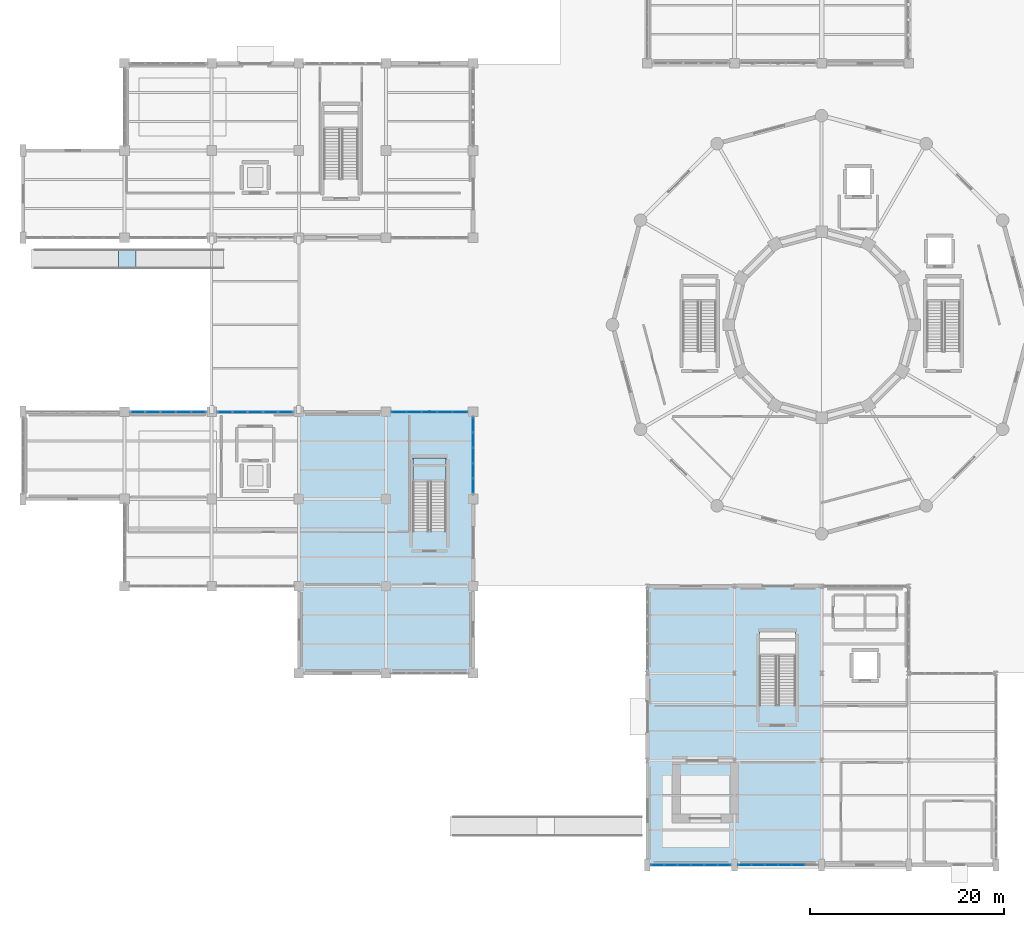
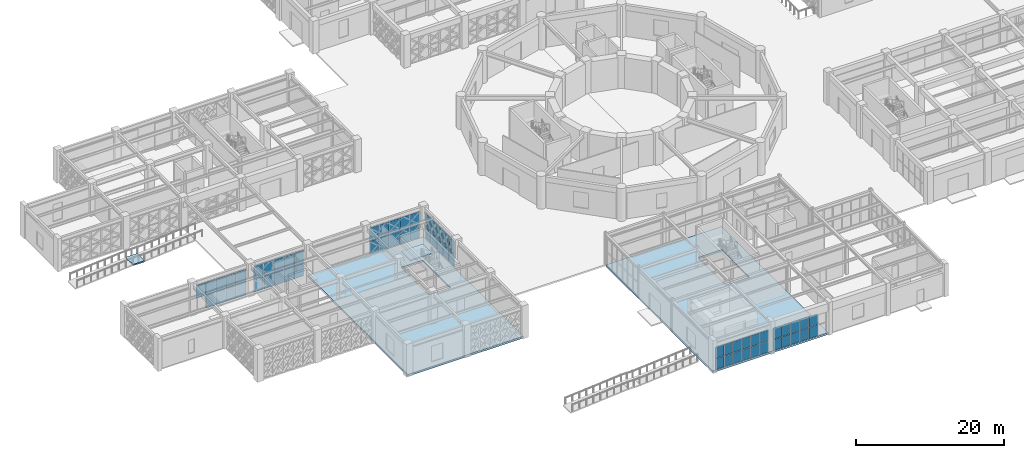
# One storey, part 102 of 140: 61 plates, 4 slabs, 8 elements without a shape of their own.
"""IFC4 building model written with IfcOpenShell, lengths in metres."""

from ifc_helpers import new_model, si_unit, direction, frame, origin, origin_2d, place, context, subcontext, project, spatial, polyline, rectangle, outline, extrude, material, layer, layer_set, type_object, element, aggregate, save


model = new_model("IFC4")

# Units and contexts
model_context = context("Model", 3, precision=1e-05, world=origin(), true_north=direction((0.0, 1.0)))
body_context = subcontext(model_context, "Body", "Model", "MODEL_VIEW")
ifc_project = project(units=[si_unit("LENGTHUNIT", "METRE"), si_unit("AREAUNIT", "SQUARE_METRE"), si_unit("VOLUMEUNIT", "CUBIC_METRE"), si_unit("PLANEANGLEUNIT", "RADIAN"), si_unit("MASSUNIT", "GRAM", prefix="KILO")], contexts=[model_context])

# Site, building, storey
site_placement = place(None, origin())
site = spatial("IfcSite", under=ifc_project, at=site_placement, CompositionType="ELEMENT")
building_placement = place(site_placement, origin())
building = spatial("IfcBuilding", under=site, at=building_placement, Name="Haizhuo Lancet Aquarium", CompositionType="ELEMENT")
storey_placement = place(building_placement, origin())
storey = spatial("IfcBuildingStorey", under=building, at=storey_placement, Name="L00", CompositionType="ELEMENT", Elevation=0.0)

# Curtain wall, plates
ifc_material_1 = material(Name="Aluminium 6063-T6", Category="aluminium")
curtain_wall_type_1 = type_object("IfcCurtainWallType", Name="CWO-8310x3770", PredefinedType="NOTDEFINED", material=ifc_material_1)
curtain_wall_1_placement = place(storey_placement, origin())
curtain_wall_1 = element("IfcCurtainWall", 1, at=curtain_wall_1_placement, inside=storey, type_object=curtain_wall_type_1, Name="L00 curtain wall CW-V4-L00-089", PredefinedType="NOTDEFINED")
ifc_material_2 = material(Name="Laminated Low-E Glass", Category="glass")
ifc_layer_1 = layer(ifc_material_2, 0.028076171875)
ifc_layer_set_1 = layer_set([ifc_layer_1], Name="Laminated Low-E Glass")
plate_type_1 = type_object("IfcPlateType", Name="CW-PNL-1", PredefinedType="CURTAIN_PANEL", material=ifc_layer_set_1)
plate_1_placement = place(storey_placement, frame((-10.055908203125, -55.800048828125, 0.074951171875), z_axis=(0.0, 0.0, 1.0), x_axis=(-1.0, 0.0, 0.0)))
plate_1 = element("IfcPlate", 2, at=plate_1_placement, type_object=plate_type_1, Name="CWO-83x37 panel 1.1", PredefinedType="CURTAIN_PANEL", context=body_context, shape_type="SweptSolid", body=[
    extrude(rectangle(XDim=1.27197265625, YDim=0.028076171875, at=origin_2d()), origin(), (0.0, 0.0, 1.0), 1.77197265625),
])
plate_2_placement = place(storey_placement, frame((-10.055908203125, -55.800048828125, 1.923095703125), z_axis=(0.0, 0.0, 1.0), x_axis=(-1.0, 0.0, 0.0)))
plate_2 = element("IfcPlate", 3, at=plate_2_placement, type_object=plate_type_1, Name="CWO-83x37 panel 1.2", PredefinedType="CURTAIN_PANEL", context=body_context, shape_type="SweptSolid", body=[
    extrude(rectangle(XDim=1.27197265625, YDim=0.028076171875, at=origin_2d()), origin(), (0.0, 0.0, 1.0), 1.77197265625),
])
plate_3_placement = place(storey_placement, frame((-11.423095703125, -55.800048828125, 0.074951171875), z_axis=(0.0, 0.0, 1.0), x_axis=(-1.0, 0.0, 0.0)))
plate_3 = element("IfcPlate", 4, at=plate_3_placement, type_object=plate_type_1, Name="CWO-83x37 panel 2.1", PredefinedType="CURTAIN_PANEL", context=body_context, shape_type="SweptSolid", body=[
    extrude(rectangle(XDim=1.31005859375, YDim=0.028076171875, at=origin_2d()), origin(), (0.0, 0.0, 1.0), 1.77197265625),
])
plate_4_placement = place(storey_placement, frame((-11.423095703125, -55.800048828125, 1.923095703125), z_axis=(0.0, 0.0, 1.0), x_axis=(-1.0, 0.0, 0.0)))
plate_4 = element("IfcPlate", 5, at=plate_4_placement, type_object=plate_type_1, Name="CWO-83x37 panel 2.2", PredefinedType="CURTAIN_PANEL", context=body_context, shape_type="SweptSolid", body=[
    extrude(rectangle(XDim=1.31005859375, YDim=0.028076171875, at=origin_2d()), origin(), (0.0, 0.0, 1.0), 1.77197265625),
])
plate_5_placement = place(storey_placement, frame((-12.80810546875, -55.800048828125, 0.074951171875), z_axis=(0.0, 0.0, 1.0), x_axis=(-1.0, 0.0, 0.0)))
plate_5 = element("IfcPlate", 6, at=plate_5_placement, type_object=plate_type_1, Name="CWO-83x37 panel 3.1", PredefinedType="CURTAIN_PANEL", context=body_context, shape_type="SweptSolid", body=[
    extrude(rectangle(XDim=1.31005859375, YDim=0.028076171875, at=origin_2d()), origin(), (0.0, 0.0, 1.0), 1.77197265625),
])
plate_6_placement = place(storey_placement, frame((-12.80810546875, -55.800048828125, 1.923095703125), z_axis=(0.0, 0.0, 1.0), x_axis=(-1.0, 0.0, 0.0)))
plate_6 = element("IfcPlate", 7, at=plate_6_placement, type_object=plate_type_1, Name="CWO-83x37 panel 3.2", PredefinedType="CURTAIN_PANEL", context=body_context, shape_type="SweptSolid", body=[
    extrude(rectangle(XDim=1.31005859375, YDim=0.028076171875, at=origin_2d()), origin(), (0.0, 0.0, 1.0), 1.77197265625),
])
plate_7_placement = place(storey_placement, frame((-14.193115234375, -55.800048828125, 0.074951171875), z_axis=(0.0, 0.0, 1.0), x_axis=(-1.0, 0.0, 0.0)))
plate_7 = element("IfcPlate", 8, at=plate_7_placement, type_object=plate_type_1, Name="CWO-83x37 panel 4.1", PredefinedType="CURTAIN_PANEL", context=body_context, shape_type="SweptSolid", body=[
    extrude(rectangle(XDim=1.31005859375, YDim=0.028076171875, at=origin_2d()), origin(), (0.0, 0.0, 1.0), 1.77197265625),
])
plate_8_placement = place(storey_placement, frame((-14.193115234375, -55.800048828125, 1.923095703125), z_axis=(0.0, 0.0, 1.0), x_axis=(-1.0, 0.0, 0.0)))
plate_8 = element("IfcPlate", 9, at=plate_8_placement, type_object=plate_type_1, Name="CWO-83x37 panel 4.2", PredefinedType="CURTAIN_PANEL", context=body_context, shape_type="SweptSolid", body=[
    extrude(rectangle(XDim=1.31005859375, YDim=0.028076171875, at=origin_2d()), origin(), (0.0, 0.0, 1.0), 1.77197265625),
])
plate_9_placement = place(storey_placement, frame((-15.577880859375, -55.800048828125, 0.074951171875), z_axis=(0.0, 0.0, 1.0), x_axis=(-1.0, 0.0, 0.0)))
plate_9 = element("IfcPlate", 10, at=plate_9_placement, type_object=plate_type_1, Name="CWO-83x37 panel 5.1", PredefinedType="CURTAIN_PANEL", context=body_context, shape_type="SweptSolid", body=[
    extrude(rectangle(XDim=1.31005859375, YDim=0.028076171875, at=origin_2d()), origin(), (0.0, 0.0, 1.0), 1.77197265625),
])
plate_10_placement = place(storey_placement, frame((-15.577880859375, -55.800048828125, 1.923095703125), z_axis=(0.0, 0.0, 1.0), x_axis=(-1.0, 0.0, 0.0)))
plate_10 = element("IfcPlate", 11, at=plate_10_placement, type_object=plate_type_1, Name="CWO-83x37 panel 5.2", PredefinedType="CURTAIN_PANEL", context=body_context, shape_type="SweptSolid", body=[
    extrude(rectangle(XDim=1.31005859375, YDim=0.028076171875, at=origin_2d()), origin(), (0.0, 0.0, 1.0), 1.77197265625),
])
plate_11_placement = place(storey_placement, frame((-16.944091796875, -55.800048828125, 0.074951171875), z_axis=(0.0, 0.0, 1.0), x_axis=(-1.0, 0.0, 0.0)))
plate_11 = element("IfcPlate", 12, at=plate_11_placement, type_object=plate_type_1, Name="CWO-83x37 panel 6.1", PredefinedType="CURTAIN_PANEL", context=body_context, shape_type="SweptSolid", body=[
    extrude(rectangle(XDim=1.27294921875, YDim=0.028076171875, at=origin_2d()), origin(), (0.0, 0.0, 1.0), 1.77197265625),
])
plate_12_placement = place(storey_placement, frame((-16.944091796875, -55.800048828125, 1.923095703125), z_axis=(0.0, 0.0, 1.0), x_axis=(-1.0, 0.0, 0.0)))
plate_12 = element("IfcPlate", 13, at=plate_12_placement, type_object=plate_type_1, Name="CWO-83x37 panel 6.2", PredefinedType="CURTAIN_PANEL", context=body_context, shape_type="SweptSolid", body=[
    extrude(rectangle(XDim=1.27294921875, YDim=0.028076171875, at=origin_2d()), origin(), (0.0, 0.0, 1.0), 1.77197265625),
])
aggregate(curtain_wall_1, [plate_1, plate_2, plate_3, plate_4, plate_5, plate_6, plate_7, plate_8, plate_9, plate_10, plate_11, plate_12])

curtain_wall_type_2 = type_object("IfcCurtainWallType", Name="CWD-7910x4420", PredefinedType="NOTDEFINED", material=ifc_material_1)
curtain_wall_2_placement = place(storey_placement, origin())
curtain_wall_2 = element("IfcCurtainWall", 14, at=curtain_wall_2_placement, inside=storey, type_object=curtain_wall_type_2, Name="L00 curtain wall CW-V6-L00-197", PredefinedType="NOTDEFINED")
plate_13_placement = place(storey_placement, frame((-36.0, -10.35498046875, 0.07568359375), z_axis=(0.0, 0.0, 1.0), x_axis=(0.0, -1.0, 0.0)))
plate_13 = element("IfcPlate", 15, at=plate_13_placement, type_object=plate_type_1, Name="CWD-79x44 panel 1.1", PredefinedType="CURTAIN_PANEL", context=body_context, shape_type="SweptSolid", body=[
    extrude(rectangle(XDim=1.468994140625, YDim=0.028076171875, at=origin_2d()), origin(), (0.0, 0.0, 1.0), 2.096923828125),
])
plate_14_placement = place(storey_placement, frame((-36.0, -10.35498046875, 2.2470703125), z_axis=(0.0, 0.0, 1.0), x_axis=(0.0, -1.0, 0.0)))
plate_14 = element("IfcPlate", 16, at=plate_14_placement, type_object=plate_type_1, Name="CWD-79x44 panel 1.2", PredefinedType="CURTAIN_PANEL", context=body_context, shape_type="SweptSolid", body=[
    extrude(rectangle(XDim=1.468994140625, YDim=0.028076171875, at=origin_2d()), origin(), (0.0, 0.0, 1.0), 2.097900390625),
])
plate_15_placement = place(storey_placement, frame((-36.0, -11.91796875, 0.07568359375), z_axis=(0.0, 0.0, 1.0), x_axis=(0.0, -1.0, 0.0)))
plate_15 = element("IfcPlate", 17, at=plate_15_placement, type_object=plate_type_1, Name="CWD-79x44 panel 2.1", PredefinedType="CURTAIN_PANEL", context=body_context, shape_type="SweptSolid", body=[
    extrude(rectangle(XDim=1.507080078125, YDim=0.028076171875, at=origin_2d()), origin(), (0.0, 0.0, 1.0), 2.096923828125),
])
plate_16_placement = place(storey_placement, frame((-36.0, -11.91796875, 2.2470703125), z_axis=(0.0, 0.0, 1.0), x_axis=(0.0, -1.0, 0.0)))
plate_16 = element("IfcPlate", 18, at=plate_16_placement, type_object=plate_type_1, Name="CWD-79x44 panel 2.2", PredefinedType="CURTAIN_PANEL", context=body_context, shape_type="SweptSolid", body=[
    extrude(rectangle(XDim=1.507080078125, YDim=0.028076171875, at=origin_2d()), origin(), (0.0, 0.0, 1.0), 2.097900390625),
])
plate_17_placement = place(storey_placement, frame((-36.0, -13.5, 0.07568359375), z_axis=(0.0, 0.0, 1.0), x_axis=(0.0, -1.0, 0.0)))
plate_17 = element("IfcPlate", 19, at=plate_17_placement, type_object=plate_type_1, Name="CWD-79x44 panel 3.1", PredefinedType="CURTAIN_PANEL", context=body_context, shape_type="SweptSolid", body=[
    extrude(rectangle(XDim=1.507080078125, YDim=0.028076171875, at=origin_2d()), origin(), (0.0, 0.0, 1.0), 2.096923828125),
])
plate_18_placement = place(storey_placement, frame((-36.0, -13.5, 2.2470703125), z_axis=(0.0, 0.0, 1.0), x_axis=(0.0, -1.0, 0.0)))
plate_18 = element("IfcPlate", 20, at=plate_18_placement, type_object=plate_type_1, Name="CWD-79x44 panel 3.2", PredefinedType="CURTAIN_PANEL", context=body_context, shape_type="SweptSolid", body=[
    extrude(rectangle(XDim=1.507080078125, YDim=0.028076171875, at=origin_2d()), origin(), (0.0, 0.0, 1.0), 2.097900390625),
])
plate_19_placement = place(storey_placement, frame((-36.0, -15.08203125, 0.07568359375), z_axis=(0.0, 0.0, 1.0), x_axis=(0.0, -1.0, 0.0)))
plate_19 = element("IfcPlate", 21, at=plate_19_placement, type_object=plate_type_1, Name="CWD-79x44 panel 4.1", PredefinedType="CURTAIN_PANEL", context=body_context, shape_type="SweptSolid", body=[
    extrude(rectangle(XDim=1.507080078125, YDim=0.028076171875, at=origin_2d()), origin(), (0.0, 0.0, 1.0), 2.096923828125),
])
plate_20_placement = place(storey_placement, frame((-36.0, -15.08203125, 2.2470703125), z_axis=(0.0, 0.0, 1.0), x_axis=(0.0, -1.0, 0.0)))
plate_20 = element("IfcPlate", 22, at=plate_20_placement, type_object=plate_type_1, Name="CWD-79x44 panel 4.2", PredefinedType="CURTAIN_PANEL", context=body_context, shape_type="SweptSolid", body=[
    extrude(rectangle(XDim=1.507080078125, YDim=0.028076171875, at=origin_2d()), origin(), (0.0, 0.0, 1.0), 2.097900390625),
])
plate_21_placement = place(storey_placement, frame((-36.0, -16.64501953125, 0.07568359375), z_axis=(0.0, 0.0, 1.0), x_axis=(0.0, -1.0, 0.0)))
plate_21 = element("IfcPlate", 23, at=plate_21_placement, type_object=plate_type_1, Name="CWD-79x44 panel 5.1", PredefinedType="CURTAIN_PANEL", context=body_context, shape_type="SweptSolid", body=[
    extrude(rectangle(XDim=1.469970703125, YDim=0.028076171875, at=origin_2d()), origin(), (0.0, 0.0, 1.0), 2.096923828125),
])
plate_22_placement = place(storey_placement, frame((-36.0, -16.64501953125, 2.2470703125), z_axis=(0.0, 0.0, 1.0), x_axis=(0.0, -1.0, 0.0)))
plate_22 = element("IfcPlate", 24, at=plate_22_placement, type_object=plate_type_1, Name="CWD-79x44 panel 5.2", PredefinedType="CURTAIN_PANEL", context=body_context, shape_type="SweptSolid", body=[
    extrude(rectangle(XDim=1.469970703125, YDim=0.028076171875, at=origin_2d()), origin(), (0.0, 0.0, 1.0), 2.097900390625),
])
aggregate(curtain_wall_2, [plate_13, plate_14, plate_15, plate_16, plate_17, plate_18, plate_19, plate_20, plate_21, plate_22])

curtain_wall_type_3 = type_object("IfcCurtainWallType", Name="CWO-7910x4420", PredefinedType="NOTDEFINED", material=ifc_material_1)
curtain_wall_3_placement = place(storey_placement, origin())
curtain_wall_3 = element("IfcCurtainWall", 25, at=curtain_wall_3_placement, inside=storey, type_object=curtain_wall_type_3, Name="L00 curtain wall CW-V6-L00-194", PredefinedType="NOTDEFINED")
ifc_layer_2 = layer(ifc_material_2, 0.033935546875)
ifc_layer_set_2 = layer_set([ifc_layer_2], Name="Laminated Low-E Glass")
plate_type_2 = type_object("IfcPlateType", Name="CW-PNL-2", PredefinedType="CURTAIN_PANEL", material=ifc_layer_set_2)
plate_23_placement = place(storey_placement, frame((-70.64501953125, -9.0, 2.2470703125), z_axis=(0.0, 0.0, 1.0), x_axis=(1.0, 0.0, 0.0)))
plate_23 = element("IfcPlate", 26, at=plate_23_placement, type_object=plate_type_2, Name="CWO-79x44 panel 1.2", PredefinedType="CURTAIN_PANEL", context=body_context, shape_type="SweptSolid", body=[
    extrude(rectangle(XDim=1.468994140625, YDim=0.033935546875, at=origin_2d()), origin(), (0.0, 0.0, 1.0), 2.097900390625),
])
plate_24_placement = place(storey_placement, frame((-69.08203125, -9.0, 0.07568359375), z_axis=(0.0, 0.0, 1.0), x_axis=(1.0, 0.0, 0.0)))
plate_24 = element("IfcPlate", 27, at=plate_24_placement, type_object=plate_type_2, Name="CWO-79x44 panel 2.1", PredefinedType="CURTAIN_PANEL", context=body_context, shape_type="SweptSolid", body=[
    extrude(rectangle(XDim=1.507080078125, YDim=0.033935546875, at=origin_2d()), origin(), (0.0, 0.0, 1.0), 2.096923828125),
])
plate_25_placement = place(storey_placement, frame((-69.08203125, -9.0, 2.2470703125), z_axis=(0.0, 0.0, 1.0), x_axis=(1.0, 0.0, 0.0)))
plate_25 = element("IfcPlate", 28, at=plate_25_placement, type_object=plate_type_2, Name="CWO-79x44 panel 2.2", PredefinedType="CURTAIN_PANEL", context=body_context, shape_type="SweptSolid", body=[
    extrude(rectangle(XDim=1.507080078125, YDim=0.033935546875, at=origin_2d()), origin(), (0.0, 0.0, 1.0), 2.097900390625),
])
plate_26_placement = place(storey_placement, frame((-67.5, -9.0, 0.07568359375), z_axis=(0.0, 0.0, 1.0), x_axis=(1.0, 0.0, 0.0)))
plate_26 = element("IfcPlate", 29, at=plate_26_placement, type_object=plate_type_2, Name="CWO-79x44 panel 3.1", PredefinedType="CURTAIN_PANEL", context=body_context, shape_type="SweptSolid", body=[
    extrude(rectangle(XDim=1.507080078125, YDim=0.033935546875, at=origin_2d()), origin(), (0.0, 0.0, 1.0), 2.096923828125),
])
plate_27_placement = place(storey_placement, frame((-67.5, -9.0, 2.2470703125), z_axis=(0.0, 0.0, 1.0), x_axis=(1.0, 0.0, 0.0)))
plate_27 = element("IfcPlate", 30, at=plate_27_placement, type_object=plate_type_2, Name="CWO-79x44 panel 3.2", PredefinedType="CURTAIN_PANEL", context=body_context, shape_type="SweptSolid", body=[
    extrude(rectangle(XDim=1.507080078125, YDim=0.033935546875, at=origin_2d()), origin(), (0.0, 0.0, 1.0), 2.097900390625),
])
plate_28_placement = place(storey_placement, frame((-65.91796875, -9.0, 0.07568359375), z_axis=(0.0, 0.0, 1.0), x_axis=(1.0, 0.0, 0.0)))
plate_28 = element("IfcPlate", 31, at=plate_28_placement, type_object=plate_type_2, Name="CWO-79x44 panel 4.1", PredefinedType="CURTAIN_PANEL", context=body_context, shape_type="SweptSolid", body=[
    extrude(rectangle(XDim=1.507080078125, YDim=0.033935546875, at=origin_2d()), origin(), (0.0, 0.0, 1.0), 2.096923828125),
])
plate_29_placement = place(storey_placement, frame((-65.91796875, -9.0, 2.2470703125), z_axis=(0.0, 0.0, 1.0), x_axis=(1.0, 0.0, 0.0)))
plate_29 = element("IfcPlate", 32, at=plate_29_placement, type_object=plate_type_2, Name="CWO-79x44 panel 4.2", PredefinedType="CURTAIN_PANEL", context=body_context, shape_type="SweptSolid", body=[
    extrude(rectangle(XDim=1.507080078125, YDim=0.033935546875, at=origin_2d()), origin(), (0.0, 0.0, 1.0), 2.097900390625),
])
plate_30_placement = place(storey_placement, frame((-64.35498046875, -9.0, 0.07568359375), z_axis=(0.0, 0.0, 1.0), x_axis=(1.0, 0.0, 0.0)))
plate_30 = element("IfcPlate", 33, at=plate_30_placement, type_object=plate_type_2, Name="CWO-79x44 panel 5.1", PredefinedType="CURTAIN_PANEL", context=body_context, shape_type="SweptSolid", body=[
    extrude(rectangle(XDim=1.469970703125, YDim=0.033935546875, at=origin_2d()), origin(), (0.0, 0.0, 1.0), 2.096923828125),
])
plate_31_placement = place(storey_placement, frame((-64.35498046875, -9.0, 2.2470703125), z_axis=(0.0, 0.0, 1.0), x_axis=(1.0, 0.0, 0.0)))
plate_31 = element("IfcPlate", 34, at=plate_31_placement, type_object=plate_type_2, Name="CWO-79x44 panel 5.2", PredefinedType="CURTAIN_PANEL", context=body_context, shape_type="SweptSolid", body=[
    extrude(rectangle(XDim=1.469970703125, YDim=0.033935546875, at=origin_2d()), origin(), (0.0, 0.0, 1.0), 2.097900390625),
])
aggregate(curtain_wall_3, [plate_23, plate_24, plate_25, plate_26, plate_27, plate_28, plate_29, plate_30, plate_31])

curtain_wall_4_placement = place(storey_placement, origin())
curtain_wall_4 = element("IfcCurtainWall", 35, at=curtain_wall_4_placement, inside=storey, type_object=curtain_wall_type_3, Name="L00 curtain wall CW-V6-L00-195", PredefinedType="NOTDEFINED")
ifc_layer_3 = layer(ifc_material_2, 0.0419921875)
ifc_layer_set_3 = layer_set([ifc_layer_3], Name="Laminated Low-E Glass")
plate_type_3 = type_object("IfcPlateType", Name="CW-PNL-3", PredefinedType="CURTAIN_PANEL", material=ifc_layer_set_3)
plate_32_placement = place(storey_placement, frame((-61.64404296875, -9.0, 0.080078125), z_axis=(0.0, 0.0, 1.0), x_axis=(1.0, 0.0, 0.0)))
plate_32 = element("IfcPlate", 36, at=plate_32_placement, type_object=plate_type_3, Name="CWO-79x44 panel 1.1", PredefinedType="CURTAIN_PANEL", context=body_context, shape_type="SweptSolid", body=[
    extrude(rectangle(XDim=1.4619140625, YDim=0.0419921875, at=origin_2d()), origin(), (0.0, 0.0, 1.0), 2.090087890625),
])
plate_33_placement = place(storey_placement, frame((-61.64404296875, -9.0, 2.25), z_axis=(0.0, 0.0, 1.0), x_axis=(1.0, 0.0, 0.0)))
plate_33 = element("IfcPlate", 37, at=plate_33_placement, type_object=plate_type_3, Name="CWO-79x44 panel 1.2", PredefinedType="CURTAIN_PANEL", context=body_context, shape_type="SweptSolid", body=[
    extrude(rectangle(XDim=1.4619140625, YDim=0.0419921875, at=origin_2d()), origin(), (0.0, 0.0, 1.0), 2.090087890625),
])
plate_34_placement = place(storey_placement, frame((-60.08203125, -9.0, 0.080078125), z_axis=(0.0, 0.0, 1.0), x_axis=(1.0, 0.0, 0.0)))
plate_34 = element("IfcPlate", 38, at=plate_34_placement, type_object=plate_type_3, Name="CWO-79x44 panel 2.1", PredefinedType="CURTAIN_PANEL", context=body_context, shape_type="SweptSolid", body=[
    extrude(rectangle(XDim=1.501953125, YDim=0.0419921875, at=origin_2d()), origin(), (0.0, 0.0, 1.0), 2.090087890625),
])
plate_35_placement = place(storey_placement, frame((-60.08203125, -9.0, 2.25), z_axis=(0.0, 0.0, 1.0), x_axis=(1.0, 0.0, 0.0)))
plate_35 = element("IfcPlate", 39, at=plate_35_placement, type_object=plate_type_3, Name="CWO-79x44 panel 2.2", PredefinedType="CURTAIN_PANEL", context=body_context, shape_type="SweptSolid", body=[
    extrude(rectangle(XDim=1.501953125, YDim=0.0419921875, at=origin_2d()), origin(), (0.0, 0.0, 1.0), 2.090087890625),
])
plate_36_placement = place(storey_placement, frame((-58.5, -9.0, 0.080078125), z_axis=(0.0, 0.0, 1.0), x_axis=(1.0, 0.0, 0.0)))
plate_36 = element("IfcPlate", 40, at=plate_36_placement, type_object=plate_type_3, Name="CWO-79x44 panel 3.1", PredefinedType="CURTAIN_PANEL", context=body_context, shape_type="SweptSolid", body=[
    extrude(rectangle(XDim=1.501953125, YDim=0.0419921875, at=origin_2d()), origin(), (0.0, 0.0, 1.0), 2.090087890625),
])
plate_37_placement = place(storey_placement, frame((-58.5, -9.0, 2.25), z_axis=(0.0, 0.0, 1.0), x_axis=(1.0, 0.0, 0.0)))
plate_37 = element("IfcPlate", 41, at=plate_37_placement, type_object=plate_type_3, Name="CWO-79x44 panel 3.2", PredefinedType="CURTAIN_PANEL", context=body_context, shape_type="SweptSolid", body=[
    extrude(rectangle(XDim=1.501953125, YDim=0.0419921875, at=origin_2d()), origin(), (0.0, 0.0, 1.0), 2.090087890625),
])
plate_38_placement = place(storey_placement, frame((-56.91796875, -9.0, 0.080078125), z_axis=(0.0, 0.0, 1.0), x_axis=(1.0, 0.0, 0.0)))
plate_38 = element("IfcPlate", 42, at=plate_38_placement, type_object=plate_type_3, Name="CWO-79x44 panel 4.1", PredefinedType="CURTAIN_PANEL", context=body_context, shape_type="SweptSolid", body=[
    extrude(rectangle(XDim=1.501953125, YDim=0.0419921875, at=origin_2d()), origin(), (0.0, 0.0, 1.0), 2.090087890625),
])
plate_39_placement = place(storey_placement, frame((-56.91796875, -9.0, 2.25), z_axis=(0.0, 0.0, 1.0), x_axis=(1.0, 0.0, 0.0)))
plate_39 = element("IfcPlate", 43, at=plate_39_placement, type_object=plate_type_3, Name="CWO-79x44 panel 4.2", PredefinedType="CURTAIN_PANEL", context=body_context, shape_type="SweptSolid", body=[
    extrude(rectangle(XDim=1.501953125, YDim=0.0419921875, at=origin_2d()), origin(), (0.0, 0.0, 1.0), 2.090087890625),
])
plate_40_placement = place(storey_placement, frame((-55.35595703125, -9.0, 0.080078125), z_axis=(0.0, 0.0, 1.0), x_axis=(1.0, 0.0, 0.0)))
plate_40 = element("IfcPlate", 44, at=plate_40_placement, type_object=plate_type_3, Name="CWO-79x44 panel 5.1", PredefinedType="CURTAIN_PANEL", context=body_context, shape_type="SweptSolid", body=[
    extrude(rectangle(XDim=1.4619140625, YDim=0.0419921875, at=origin_2d()), origin(), (0.0, 0.0, 1.0), 2.090087890625),
])
plate_41_placement = place(storey_placement, frame((-55.35595703125, -9.0, 2.25), z_axis=(0.0, 0.0, 1.0), x_axis=(1.0, 0.0, 0.0)))
plate_41 = element("IfcPlate", 45, at=plate_41_placement, type_object=plate_type_3, Name="CWO-79x44 panel 5.2", PredefinedType="CURTAIN_PANEL", context=body_context, shape_type="SweptSolid", body=[
    extrude(rectangle(XDim=1.4619140625, YDim=0.0419921875, at=origin_2d()), origin(), (0.0, 0.0, 1.0), 2.090087890625),
])
aggregate(curtain_wall_4, [plate_32, plate_33, plate_34, plate_35, plate_36, plate_37, plate_38, plate_39, plate_40, plate_41])

curtain_wall_5_placement = place(storey_placement, origin())
curtain_wall_5 = element("IfcCurtainWall", 46, at=curtain_wall_5_placement, inside=storey, type_object=curtain_wall_type_1, Name="L00 curtain wall CW-V4-L00-088", PredefinedType="NOTDEFINED")
ifc_layer_4 = layer(ifc_material_2, 0.052001953125)
ifc_layer_set_4 = layer_set([ifc_layer_4], Name="Laminated Low-E Glass")
plate_type_4 = type_object("IfcPlateType", Name="CW-PNL-4", PredefinedType="CURTAIN_PANEL", material=ifc_layer_set_4)
plate_42_placement = place(storey_placement, frame((-2.422119140625, -55.800048828125, 0.06494140625), z_axis=(0.0, 0.0, 1.0), x_axis=(-1.0, 0.0, 0.0)))
plate_42 = element("IfcPlate", 47, at=plate_42_placement, type_object=plate_type_4, Name="CWO-83x37 panel 2.1", PredefinedType="CURTAIN_PANEL", context=body_context, shape_type="SweptSolid", body=[
    extrude(rectangle(XDim=1.320068359375, YDim=0.052001953125, at=origin_2d()), origin(), (0.0, 0.0, 1.0), 1.7880859375),
])
plate_43_placement = place(storey_placement, frame((-2.422119140625, -55.800048828125, 1.91748046875), z_axis=(0.0, 0.0, 1.0), x_axis=(-1.0, 0.0, 0.0)))
plate_43 = element("IfcPlate", 48, at=plate_43_placement, type_object=plate_type_4, Name="CWO-83x37 panel 2.2", PredefinedType="CURTAIN_PANEL", context=body_context, shape_type="SweptSolid", body=[
    extrude(rectangle(XDim=1.320068359375, YDim=0.052001953125, at=origin_2d()), origin(), (0.0, 0.0, 1.0), 1.787109375),
])
plate_44_placement = place(storey_placement, frame((-3.806884765625, -55.800048828125, 0.06494140625), z_axis=(0.0, 0.0, 1.0), x_axis=(-1.0, 0.0, 0.0)))
plate_44 = element("IfcPlate", 49, at=plate_44_placement, type_object=plate_type_4, Name="CWO-83x37 panel 3.1", PredefinedType="CURTAIN_PANEL", context=body_context, shape_type="SweptSolid", body=[
    extrude(rectangle(XDim=1.320068359375, YDim=0.052001953125, at=origin_2d()), origin(), (0.0, 0.0, 1.0), 1.7880859375),
])
plate_45_placement = place(storey_placement, frame((-3.806884765625, -55.800048828125, 1.91748046875), z_axis=(0.0, 0.0, 1.0), x_axis=(-1.0, 0.0, 0.0)))
plate_45 = element("IfcPlate", 50, at=plate_45_placement, type_object=plate_type_4, Name="CWO-83x37 panel 3.2", PredefinedType="CURTAIN_PANEL", context=body_context, shape_type="SweptSolid", body=[
    extrude(rectangle(XDim=1.320068359375, YDim=0.052001953125, at=origin_2d()), origin(), (0.0, 0.0, 1.0), 1.787109375),
])
plate_46_placement = place(storey_placement, frame((-5.19189453125, -55.800048828125, 0.06494140625), z_axis=(0.0, 0.0, 1.0), x_axis=(-1.0, 0.0, 0.0)))
plate_46 = element("IfcPlate", 51, at=plate_46_placement, type_object=plate_type_4, Name="CWO-83x37 panel 4.1", PredefinedType="CURTAIN_PANEL", context=body_context, shape_type="SweptSolid", body=[
    extrude(rectangle(XDim=1.320068359375, YDim=0.052001953125, at=origin_2d()), origin(), (0.0, 0.0, 1.0), 1.7880859375),
])
plate_47_placement = place(storey_placement, frame((-5.19189453125, -55.800048828125, 1.91748046875), z_axis=(0.0, 0.0, 1.0), x_axis=(-1.0, 0.0, 0.0)))
plate_47 = element("IfcPlate", 52, at=plate_47_placement, type_object=plate_type_4, Name="CWO-83x37 panel 4.2", PredefinedType="CURTAIN_PANEL", context=body_context, shape_type="SweptSolid", body=[
    extrude(rectangle(XDim=1.320068359375, YDim=0.052001953125, at=origin_2d()), origin(), (0.0, 0.0, 1.0), 1.787109375),
])
plate_48_placement = place(storey_placement, frame((-6.576904296875, -55.800048828125, 0.06494140625), z_axis=(0.0, 0.0, 1.0), x_axis=(-1.0, 0.0, 0.0)))
plate_48 = element("IfcPlate", 53, at=plate_48_placement, type_object=plate_type_4, Name="CWO-83x37 panel 5.1", PredefinedType="CURTAIN_PANEL", context=body_context, shape_type="SweptSolid", body=[
    extrude(rectangle(XDim=1.320068359375, YDim=0.052001953125, at=origin_2d()), origin(), (0.0, 0.0, 1.0), 1.7880859375),
])
plate_49_placement = place(storey_placement, frame((-6.576904296875, -55.800048828125, 1.91748046875), z_axis=(0.0, 0.0, 1.0), x_axis=(-1.0, 0.0, 0.0)))
plate_49 = element("IfcPlate", 54, at=plate_49_placement, type_object=plate_type_4, Name="CWO-83x37 panel 5.2", PredefinedType="CURTAIN_PANEL", context=body_context, shape_type="SweptSolid", body=[
    extrude(rectangle(XDim=1.320068359375, YDim=0.052001953125, at=origin_2d()), origin(), (0.0, 0.0, 1.0), 1.787109375),
])
plate_50_placement = place(storey_placement, frame((-7.946044921875, -55.800048828125, 0.06494140625), z_axis=(0.0, 0.0, 1.0), x_axis=(-1.0, 0.0, 0.0)))
plate_50 = element("IfcPlate", 55, at=plate_50_placement, type_object=plate_type_4, Name="CWO-83x37 panel 6.1", PredefinedType="CURTAIN_PANEL", context=body_context, shape_type="SweptSolid", body=[
    extrude(rectangle(XDim=1.287109375, YDim=0.052001953125, at=origin_2d()), origin(), (0.0, 0.0, 1.0), 1.7880859375),
])
plate_51_placement = place(storey_placement, frame((-7.946044921875, -55.800048828125, 1.91748046875), z_axis=(0.0, 0.0, 1.0), x_axis=(-1.0, 0.0, 0.0)))
plate_51 = element("IfcPlate", 56, at=plate_51_placement, type_object=plate_type_4, Name="CWO-83x37 panel 6.2", PredefinedType="CURTAIN_PANEL", context=body_context, shape_type="SweptSolid", body=[
    extrude(rectangle(XDim=1.287109375, YDim=0.052001953125, at=origin_2d()), origin(), (0.0, 0.0, 1.0), 1.787109375),
])
aggregate(curtain_wall_5, [plate_42, plate_43, plate_44, plate_45, plate_46, plate_47, plate_48, plate_49, plate_50, plate_51])

curtain_wall_6_placement = place(storey_placement, origin())
curtain_wall_6 = element("IfcCurtainWall", 57, at=curtain_wall_6_placement, inside=storey, type_object=curtain_wall_type_3, Name="L00 curtain wall CW-V6-L00-196", PredefinedType="NOTDEFINED")
plate_52_placement = place(storey_placement, frame((-43.64794921875, -9.0, 0.06494140625), z_axis=(0.0, 0.0, 1.0), x_axis=(1.0, 0.0, 0.0)))
plate_52 = element("IfcPlate", 58, at=plate_52_placement, type_object=plate_type_4, Name="CWO-79x44 panel 1.1", PredefinedType="CURTAIN_PANEL", context=body_context, shape_type="SweptSolid", body=[
    extrude(rectangle(XDim=1.48388671875, YDim=0.052001953125, at=origin_2d()), origin(), (0.0, 0.0, 1.0), 2.112060546875),
])
plate_53_placement = place(storey_placement, frame((-43.64794921875, -9.0, 2.24267578125), z_axis=(0.0, 0.0, 1.0), x_axis=(1.0, 0.0, 0.0)))
plate_53 = element("IfcPlate", 59, at=plate_53_placement, type_object=plate_type_4, Name="CWO-79x44 panel 1.2", PredefinedType="CURTAIN_PANEL", context=body_context, shape_type="SweptSolid", body=[
    extrude(rectangle(XDim=1.48388671875, YDim=0.052001953125, at=origin_2d()), origin(), (0.0, 0.0, 1.0), 2.113037109375),
])
plate_54_placement = place(storey_placement, frame((-42.08203125, -9.0, 0.06494140625), z_axis=(0.0, 0.0, 1.0), x_axis=(1.0, 0.0, 0.0)))
plate_54 = element("IfcPlate", 60, at=plate_54_placement, type_object=plate_type_4, Name="CWO-79x44 panel 2.1", PredefinedType="CURTAIN_PANEL", context=body_context, shape_type="SweptSolid", body=[
    extrude(rectangle(XDim=1.51708984375, YDim=0.052001953125, at=origin_2d()), origin(), (0.0, 0.0, 1.0), 2.112060546875),
])
plate_55_placement = place(storey_placement, frame((-42.08203125, -9.0, 2.24267578125), z_axis=(0.0, 0.0, 1.0), x_axis=(1.0, 0.0, 0.0)))
plate_55 = element("IfcPlate", 61, at=plate_55_placement, type_object=plate_type_4, Name="CWO-79x44 panel 2.2", PredefinedType="CURTAIN_PANEL", context=body_context, shape_type="SweptSolid", body=[
    extrude(rectangle(XDim=1.51708984375, YDim=0.052001953125, at=origin_2d()), origin(), (0.0, 0.0, 1.0), 2.113037109375),
])
plate_56_placement = place(storey_placement, frame((-40.5, -9.0, 0.06494140625), z_axis=(0.0, 0.0, 1.0), x_axis=(1.0, 0.0, 0.0)))
plate_56 = element("IfcPlate", 62, at=plate_56_placement, type_object=plate_type_4, Name="CWO-79x44 panel 3.1", PredefinedType="CURTAIN_PANEL", context=body_context, shape_type="SweptSolid", body=[
    extrude(rectangle(XDim=1.51708984375, YDim=0.052001953125, at=origin_2d()), origin(), (0.0, 0.0, 1.0), 2.112060546875),
])
plate_57_placement = place(storey_placement, frame((-40.5, -9.0, 2.24267578125), z_axis=(0.0, 0.0, 1.0), x_axis=(1.0, 0.0, 0.0)))
plate_57 = element("IfcPlate", 63, at=plate_57_placement, type_object=plate_type_4, Name="CWO-79x44 panel 3.2", PredefinedType="CURTAIN_PANEL", context=body_context, shape_type="SweptSolid", body=[
    extrude(rectangle(XDim=1.51708984375, YDim=0.052001953125, at=origin_2d()), origin(), (0.0, 0.0, 1.0), 2.113037109375),
])
plate_58_placement = place(storey_placement, frame((-38.91796875, -9.0, 0.06494140625), z_axis=(0.0, 0.0, 1.0), x_axis=(1.0, 0.0, 0.0)))
plate_58 = element("IfcPlate", 64, at=plate_58_placement, type_object=plate_type_4, Name="CWO-79x44 panel 4.1", PredefinedType="CURTAIN_PANEL", context=body_context, shape_type="SweptSolid", body=[
    extrude(rectangle(XDim=1.51708984375, YDim=0.052001953125, at=origin_2d()), origin(), (0.0, 0.0, 1.0), 2.112060546875),
])
plate_59_placement = place(storey_placement, frame((-38.91796875, -9.0, 2.24267578125), z_axis=(0.0, 0.0, 1.0), x_axis=(1.0, 0.0, 0.0)))
plate_59 = element("IfcPlate", 65, at=plate_59_placement, type_object=plate_type_4, Name="CWO-79x44 panel 4.2", PredefinedType="CURTAIN_PANEL", context=body_context, shape_type="SweptSolid", body=[
    extrude(rectangle(XDim=1.51708984375, YDim=0.052001953125, at=origin_2d()), origin(), (0.0, 0.0, 1.0), 2.113037109375),
])
plate_60_placement = place(storey_placement, frame((-37.35205078125, -9.0, 0.06494140625), z_axis=(0.0, 0.0, 1.0), x_axis=(1.0, 0.0, 0.0)))
plate_60 = element("IfcPlate", 66, at=plate_60_placement, type_object=plate_type_4, Name="CWO-79x44 panel 5.1", PredefinedType="CURTAIN_PANEL", context=body_context, shape_type="SweptSolid", body=[
    extrude(rectangle(XDim=1.48388671875, YDim=0.052001953125, at=origin_2d()), origin(), (0.0, 0.0, 1.0), 2.112060546875),
])
plate_61_placement = place(storey_placement, frame((-37.35205078125, -9.0, 2.24267578125), z_axis=(0.0, 0.0, 1.0), x_axis=(1.0, 0.0, 0.0)))
plate_61 = element("IfcPlate", 67, at=plate_61_placement, type_object=plate_type_4, Name="CWO-79x44 panel 5.2", PredefinedType="CURTAIN_PANEL", context=body_context, shape_type="SweptSolid", body=[
    extrude(rectangle(XDim=1.48388671875, YDim=0.052001953125, at=origin_2d()), origin(), (0.0, 0.0, 1.0), 2.113037109375),
])
aggregate(curtain_wall_6, [plate_52, plate_53, plate_54, plate_55, plate_56, plate_57, plate_58, plate_59, plate_60, plate_61])

# Stair, slab
ifc_material_3 = material(Name="Concrete C40/50", Category="concrete")
stair_type = type_object("IfcStairType", Name="STR-HT-1600-54", PredefinedType="HALF_TURN_STAIR", material=ifc_material_3)
stair_placement = place(storey_placement, origin())
stair = element("IfcStair", 68, at=stair_placement, inside=storey, type_object=stair_type, Name="L00 enclosed exit stair ST-09", PredefinedType="HALF_TURN_STAIR")
ifc_layer_5 = layer(ifc_material_3, 0.199951171875)
ifc_layer_set_5 = layer_set([ifc_layer_5], Name="Concrete C40/50")
slab_type_1 = type_object("IfcSlabType", Name="SLB-LND-1600", PredefinedType="LANDING", material=ifc_layer_set_5)
slab_1_placement = place(storey_placement, frame((0.0, 0.0, 2.5)))
slab_1 = element("IfcSlab", 69, at=slab_1_placement, type_object=slab_type_1, Name="ST-15 landing 1", PredefinedType="LANDING", context=body_context, shape_type="SweptSolid", body=[
    extrude(outline(polyline([(-38.800048828125, -16.25), (-38.800048828125, -13.75), (-42.199951171875, -13.75), (-42.199951171875, -16.25), (-38.800048828125, -16.25)])), origin(), (0.0, 0.0, 1.0), 0.199951171875),
])
aggregate(stair, [slab_1])

# Slabs
ifc_layer_6 = layer(ifc_material_3, 0.300048828125)
ifc_layer_set_6 = layer_set([ifc_layer_6], Name="Concrete C40/50")
slab_type_2 = type_object("IfcSlabType", Name="SLB-PLINTH-300", PredefinedType="FLOOR", material=ifc_layer_set_6)
slab_2_placement = place(storey_placement, frame((0.0, 0.0, -0.300048828125)))
element("IfcSlab", 70, at=slab_2_placement, inside=storey, type_object=slab_type_2, Name="L00 structural slab SL-L00-V4-01", PredefinedType="FLOOR", context=body_context, shape_type="SweptSolid", body=[
    extrude(outline(polyline([(0.0, -55.800048828125), (0.0, -27.0), (-18.0, -27.0), (-18.0, -55.800048828125), (0.0, -55.800048828125)]), holes=[polyline([(-6.39990234375, -39.169921875), (-2.699951171875, -39.169921875), (-2.699951171875, -31.75), (-6.39990234375, -31.75), (-6.39990234375, -39.169921875)])]), origin(), (0.0, 0.0, 1.0), 0.300048828125),
])
slab_3_placement = place(storey_placement, frame((0.0, 0.0, -0.300048828125)))
element("IfcSlab", 71, at=slab_3_placement, inside=storey, type_object=slab_type_2, Name="L00 structural slab SL-L00-V6-02", PredefinedType="FLOOR", context=body_context, shape_type="SweptSolid", body=[
    extrude(outline(polyline([(-54.0, -9.0), (-54.0, -36.0), (-36.0, -36.0), (-36.0, -9.0), (-54.0, -9.0)]), holes=[polyline([(-38.800048828125, -21.169921875), (-38.800048828125, -13.75), (-42.199951171875, -13.75), (-42.199951171875, -21.169921875), (-38.800048828125, -21.169921875)])]), origin(), (0.0, 0.0, 1.0), 0.300048828125),
])

# Ramp, slab
ramp_type = type_object("IfcRampType", Name="RMP-STR", PredefinedType="STRAIGHT_RUN_RAMP", material=ifc_material_3)
ramp_placement = place(storey_placement, origin())
ramp = element("IfcRamp", 72, at=ramp_placement, inside=storey, type_object=ramp_type, material=ifc_material_3, Name="West Avenue Accessible Plinth Ramp RMP-01", PredefinedType="STRAIGHT_RUN_RAMP")
slab_type_3 = type_object("IfcSlabType", Name="SLB-RMP-LND-200", PredefinedType="LANDING", material=ifc_material_3)
slab_4_placement = place(storey_placement, frame((0.0, 0.0, -0.949951171875)))
slab_4 = element("IfcSlab", 73, at=slab_4_placement, type_object=slab_type_3, material=ifc_material_3, Name="West Avenue Accessible Plinth Ramp RMP-01 landing", PredefinedType="LANDING", context=body_context, shape_type="SweptSolid", body=[
    extrude(outline(polyline([(-72.60009765625, 5.800048828125), (-70.800048828125, 5.800048828125), (-70.800048828125, 7.800048828125), (-72.60009765625, 7.800048828125), (-72.60009765625, 5.800048828125)])), origin(), (0.0, 0.0, 1.0), 0.199951171875),
])
aggregate(ramp, [slab_4])

save(model, "model.ifc")
